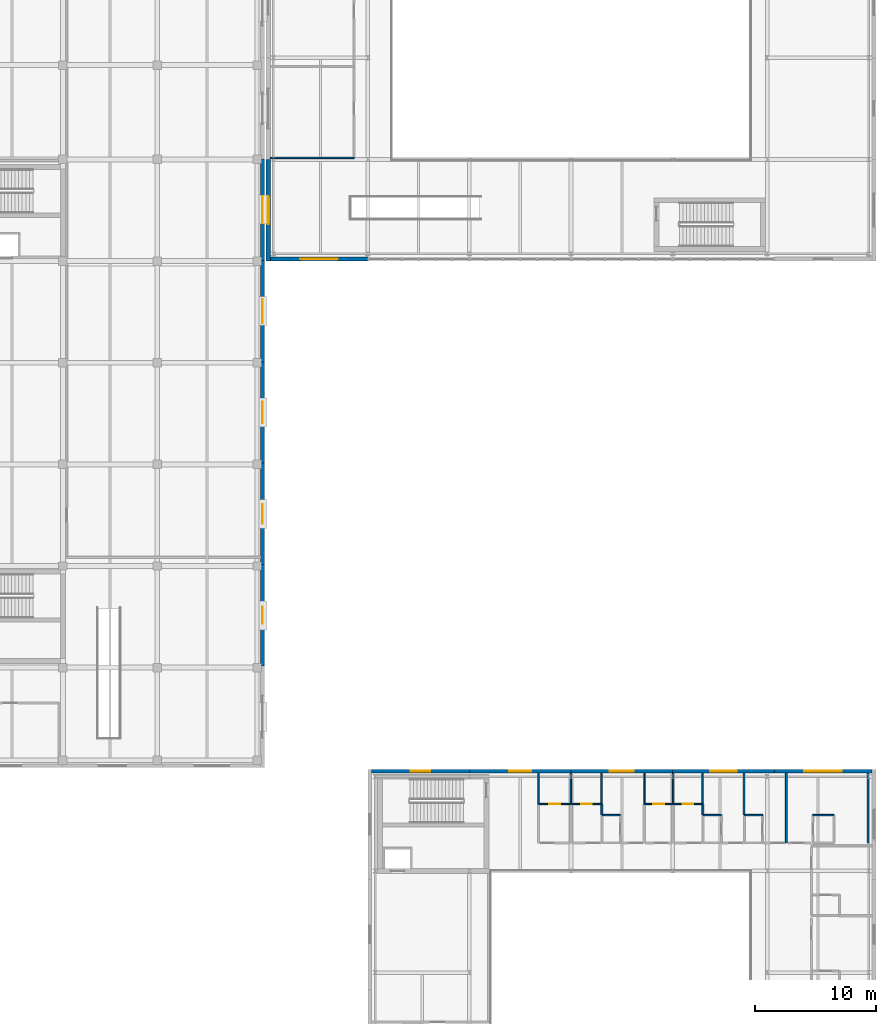
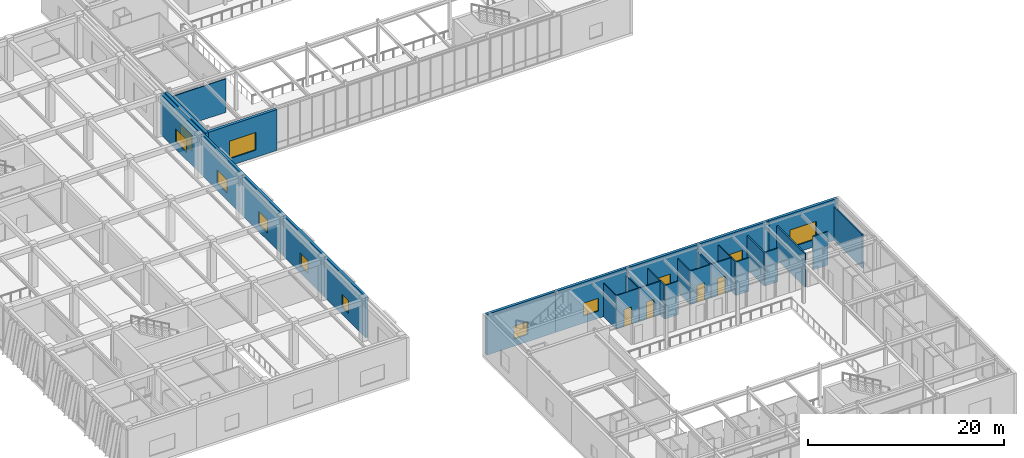
# One storey, part 118 of 139: 32 walls, 12 windows, 4 doors, 16 openings.
"""IFC4 building model written with IfcOpenShell, lengths in metres."""

from ifc_helpers import new_model, si_unit, direction, frame, frame_2d, origin, place, context, subcontext, project, spatial, rectangle, extrude, material, layer, layer_set, type_object, element, fill, save


model = new_model("IFC4")

# Units and contexts
model_context = context("Model", 3, precision=1e-05, world=origin(), true_north=direction((0.0, 1.0)))
body_context = subcontext(model_context, "Body", "Model", "MODEL_VIEW")
ifc_project = project(units=[si_unit("LENGTHUNIT", "METRE"), si_unit("AREAUNIT", "SQUARE_METRE"), si_unit("VOLUMEUNIT", "CUBIC_METRE"), si_unit("PLANEANGLEUNIT", "RADIAN"), si_unit("MASSUNIT", "GRAM", prefix="KILO")], contexts=[model_context])

# Site, building, storey
site_placement = place(None, origin())
site = spatial("IfcSite", under=ifc_project, at=site_placement, CompositionType="ELEMENT")
building_placement = place(site_placement, origin())
building = spatial("IfcBuilding", under=site, at=building_placement, Name="Zayran Congress Hotel", CompositionType="ELEMENT")
storey_placement = place(building_placement, frame((0.0, 0.0, 5.39990234375)))
storey = spatial("IfcBuildingStorey", under=building, at=storey_placement, Name="L01", CompositionType="ELEMENT", Elevation=5.39990234375)

# Wall, opening, window
ifc_material_1 = material(Name="Hajar Ma'ani limestone and insulated concrete C32/40", Category="masonry")
ifc_layer_1 = layer(ifc_material_1, 0.340087890625)
ifc_layer_set_1 = layer_set([ifc_layer_1], Name="Hajar Ma'ani limestone and insulated concrete C32/40")
wall_type_1 = type_object("IfcWallType", Name="WL-EX-340", PredefinedType="SOLIDWALL", material=ifc_layer_set_1)
wall_1_placement = place(storey_placement, frame((151.199951171875, 84.570068359375, 0.0), z_axis=(0.0, 0.0, 1.0), x_axis=(-1.0, 0.0, 0.0)))
wall_1 = element("IfcWall", 1, at=wall_1_placement, inside=storey, type_object=wall_type_1, Name="EW-V2-S-L01-0", PredefinedType="SOLIDWALL", context=body_context, shape_type="SweptSolid", body=[
    extrude(rectangle(XDim=8.06005859375, YDim=0.340087890625, at=frame_2d((4.030029296875, 0.0))), origin(), (0.0, 0.0, 1.0), 5.080078125),
])
opening_1_placement = place(wall_1_placement, frame((2.47998046875, 0.0, 0.89990234375)))
opening_1 = element("IfcOpeningElement", 2, at=opening_1_placement, cuts=wall_1, Name="Opening WN-20", PredefinedType="OPENING", context=body_context, shape_type="SweptSolid", body=[
    extrude(rectangle(XDim=3.10009765625, YDim=2.199951171875, at=frame_2d((1.550048828125, 1.10009765625))), frame((0.0, 0.179931640625, 0.0), z_axis=(0.0, -1.0, 0.0), x_axis=(1.0, 0.0, 0.0)), (0.0, 0.0, 1.0), 0.360107421875),
])
ifc_material_2 = material(Name="Anodised aluminium and low-E insulated glass", Category="aluminium")
window_type_1 = type_object("IfcWindowType", Name="TP-WN-20", PartitioningType="TRIPLE_PANEL_VERTICAL", PredefinedType="WINDOW", material=ifc_material_2)
window_1_placement = place(opening_1_placement, origin())
window_1 = element("IfcWindow", 3, at=window_1_placement, inside=storey, type_object=window_type_1, Name="WIN-V2-0026", OverallHeight=2.199951171875, OverallWidth=3.10009765625, PartitioningType="SINGLE_PANEL", PredefinedType="WINDOW", context=body_context, shape_type="SweptSolid", body=[
    extrude(rectangle(XDim=3.10009765625, YDim=2.199951171875, at=frame_2d((1.550048828125, 1.10009765625))), frame((0.0, 0.030029296875, 0.0), z_axis=(0.0, -1.0, 0.0), x_axis=(1.0, 0.0, 0.0)), (0.0, 0.0, 1.0), 0.06005859375),
])
fill(opening_1, window_1)

wall_2_placement = place(storey_placement, frame((142.969970703125, 84.39990234375, 0.0), z_axis=(0.0, 0.0, 1.0), x_axis=(0.0, 1.0, 0.0)))
wall_2 = element("IfcWall", 4, at=wall_2_placement, inside=storey, type_object=wall_type_1, Name="EW-V2-W-L01-0", PredefinedType="SOLIDWALL", context=body_context, shape_type="SweptSolid", body=[
    extrude(rectangle(XDim=8.400146484375, YDim=0.340087890625, at=frame_2d((4.2001953125, 0.0))), origin(), (0.0, 0.0, 1.0), 5.080078125),
])
opening_2_placement = place(wall_2_placement, frame((3.050048828125, 0.0, 0.89990234375)))
opening_2 = element("IfcOpeningElement", 5, at=opening_2_placement, cuts=wall_2, Name="Opening WN-28", PredefinedType="OPENING", context=body_context, shape_type="SweptSolid", body=[
    extrude(rectangle(XDim=2.300048828125, YDim=2.050048828125, at=frame_2d((1.14990234375, 1.02490234375))), frame((0.0, 0.179931640625, 0.0), z_axis=(0.0, -1.0, 0.0), x_axis=(1.0, 0.0, 0.0)), (0.0, 0.0, 1.0), 0.360107421875),
])
window_type_2 = type_object("IfcWindowType", Name="TP-WN-28", PartitioningType="DOUBLE_PANEL_VERTICAL", PredefinedType="WINDOW", material=ifc_material_2)
window_2_placement = place(opening_2_placement, origin())
window_2 = element("IfcWindow", 6, at=window_2_placement, inside=storey, type_object=window_type_2, Name="WIN-V2-0034", OverallHeight=2.050048828125, OverallWidth=2.300048828125, PartitioningType="SINGLE_PANEL", PredefinedType="WINDOW", context=body_context, shape_type="SweptSolid", body=[
    extrude(rectangle(XDim=2.300048828125, YDim=2.050048828125, at=frame_2d((1.14990234375, 1.02490234375))), frame((0.0, 0.030029296875, 0.0), z_axis=(0.0, -1.0, 0.0), x_axis=(1.0, 0.0, 0.0)), (0.0, 0.0, 1.0), 0.06005859375),
])
fill(opening_2, window_2)

ifc_material_3 = material(Name="Ajlun white limestone and insulated concrete C32/40", Category="masonry")
ifc_layer_2 = layer(ifc_material_3, 0.320068359375)
ifc_layer_set_2 = layer_set([ifc_layer_2], Name="Ajlun white limestone and insulated concrete C32/40")
wall_type_2 = type_object("IfcWallType", Name="WL-EX-320", PredefinedType="SOLIDWALL", material=ifc_layer_set_2)
wall_3_placement = place(storey_placement, frame((151.52001953125, 42.239990234375, 0.0), z_axis=(0.0, 0.0, 1.0), x_axis=(1.0, 0.0, 0.0)))
wall_3 = element("IfcWall", 7, at=wall_3_placement, inside=storey, type_object=wall_type_2, Name="EW-V3-N-L01-0", PredefinedType="SOLIDWALL", context=body_context, shape_type="SweptSolid", body=[
    extrude(rectangle(XDim=8.080078125, YDim=0.320068359375, at=frame_2d((4.0400390625, 0.0))), origin(), (0.0, 0.0, 1.0), 5.10009765625),
])
opening_3_placement = place(wall_3_placement, frame((3.239990234375, 0.0, 0.89990234375)))
opening_3 = element("IfcOpeningElement", 8, at=opening_3_placement, cuts=wall_3, Name="Opening WN-15", PredefinedType="OPENING", context=body_context, shape_type="SweptSolid", body=[
    extrude(rectangle(XDim=1.60009765625, YDim=1.60009765625, at=frame_2d((0.800048828125, 0.800048828125))), frame((0.0, 0.169921875, 0.0), z_axis=(0.0, -1.0, 0.0), x_axis=(1.0, 0.0, 0.0)), (0.0, 0.0, 1.0), 0.340087890625),
])
window_type_3 = type_object("IfcWindowType", Name="TP-WN-15", PartitioningType="SINGLE_PANEL", PredefinedType="WINDOW", material=ifc_material_2)
window_3_placement = place(opening_3_placement, origin())
window_3 = element("IfcWindow", 9, at=window_3_placement, inside=storey, type_object=window_type_3, Name="WIN-V3-0072", OverallHeight=1.60009765625, OverallWidth=1.60009765625, PartitioningType="SINGLE_PANEL", PredefinedType="WINDOW", context=body_context, shape_type="SweptSolid", body=[
    extrude(rectangle(XDim=1.60009765625, YDim=1.60009765625, at=frame_2d((0.800048828125, 0.800048828125))), frame((0.0, 0.030029296875, 0.0), z_axis=(0.0, -1.0, 0.0), x_axis=(1.0, 0.0, 0.0)), (0.0, 0.0, 1.0), 0.06005859375),
])
fill(opening_3, window_3)

wall_4_placement = place(storey_placement, frame((159.60009765625, 42.239990234375, 0.0), z_axis=(0.0, 0.0, 1.0), x_axis=(1.0, 0.0, 0.0)))
wall_4 = element("IfcWall", 10, at=wall_4_placement, inside=storey, type_object=wall_type_2, Name="EW-V3-N-L01-1", PredefinedType="SOLIDWALL", context=body_context, shape_type="SweptSolid", body=[
    extrude(rectangle(XDim=8.39990234375, YDim=0.320068359375, at=frame_2d((4.199951171875, 0.0))), origin(), (0.0, 0.0, 1.0), 5.10009765625),
])
opening_4_placement = place(wall_4_placement, frame((3.300048828125, 0.0, 0.89990234375)))
opening_4 = element("IfcOpeningElement", 11, at=opening_4_placement, cuts=wall_4, Name="Opening WN-16", PredefinedType="OPENING", context=body_context, shape_type="SweptSolid", body=[
    extrude(rectangle(XDim=1.800048828125, YDim=1.60009765625, at=frame_2d((0.89990234375, 0.800048828125))), frame((0.0, 0.169921875, 0.0), z_axis=(0.0, -1.0, 0.0), x_axis=(1.0, 0.0, 0.0)), (0.0, 0.0, 1.0), 0.340087890625),
])
window_type_4 = type_object("IfcWindowType", Name="TP-WN-16", PartitioningType="DOUBLE_PANEL_VERTICAL", PredefinedType="WINDOW", material=ifc_material_2)
window_4_placement = place(opening_4_placement, origin())
window_4 = element("IfcWindow", 12, at=window_4_placement, inside=storey, type_object=window_type_4, Name="WIN-V3-0073", OverallHeight=1.60009765625, OverallWidth=1.800048828125, PartitioningType="SINGLE_PANEL", PredefinedType="WINDOW", context=body_context, shape_type="SweptSolid", body=[
    extrude(rectangle(XDim=1.800048828125, YDim=1.60009765625, at=frame_2d((0.89990234375, 0.800048828125))), frame((0.0, 0.030029296875, 0.0), z_axis=(0.0, -1.0, 0.0), x_axis=(1.0, 0.0, 0.0)), (0.0, 0.0, 1.0), 0.06005859375),
])
fill(opening_4, window_4)

wall_5_placement = place(storey_placement, frame((168.0, 42.239990234375, 0.0), z_axis=(0.0, 0.0, 1.0), x_axis=(1.0, 0.0, 0.0)))
wall_5 = element("IfcWall", 13, at=wall_5_placement, inside=storey, type_object=wall_type_2, Name="EW-V3-N-L01-2", PredefinedType="SOLIDWALL", context=body_context, shape_type="SweptSolid", body=[
    extrude(rectangle(XDim=8.39990234375, YDim=0.320068359375, at=frame_2d((4.199951171875, 0.0))), origin(), (0.0, 0.0, 1.0), 5.10009765625),
])
opening_5_placement = place(wall_5_placement, frame((3.199951171875, 0.0, 0.89990234375)))
opening_5 = element("IfcOpeningElement", 14, at=opening_5_placement, cuts=wall_5, Name="Opening WN-17", PredefinedType="OPENING", context=body_context, shape_type="SweptSolid", body=[
    extrude(rectangle(XDim=2.0, YDim=1.64990234375, at=frame_2d((1.0, 0.824951171875))), frame((0.0, 0.169921875, 0.0), z_axis=(0.0, -1.0, 0.0), x_axis=(1.0, 0.0, 0.0)), (0.0, 0.0, 1.0), 0.340087890625),
])
window_type_5 = type_object("IfcWindowType", Name="TP-WN-17", PartitioningType="DOUBLE_PANEL_VERTICAL", PredefinedType="WINDOW", material=ifc_material_2)
window_5_placement = place(opening_5_placement, origin())
window_5 = element("IfcWindow", 15, at=window_5_placement, inside=storey, type_object=window_type_5, Name="WIN-V3-0074", OverallHeight=1.64990234375, OverallWidth=2.0, PartitioningType="SINGLE_PANEL", PredefinedType="WINDOW", context=body_context, shape_type="SweptSolid", body=[
    extrude(rectangle(XDim=2.0, YDim=1.64990234375, at=frame_2d((1.0, 0.824951171875))), frame((0.0, 0.030029296875, 0.0), z_axis=(0.0, -1.0, 0.0), x_axis=(1.0, 0.0, 0.0)), (0.0, 0.0, 1.0), 0.06005859375),
])
fill(opening_5, window_5)

wall_6_placement = place(storey_placement, frame((176.39990234375, 42.239990234375, 0.0), z_axis=(0.0, 0.0, 1.0), x_axis=(1.0, 0.0, 0.0)))
wall_6 = element("IfcWall", 16, at=wall_6_placement, inside=storey, type_object=wall_type_2, Name="EW-V3-N-L01-3", PredefinedType="SOLIDWALL", context=body_context, shape_type="SweptSolid", body=[
    extrude(rectangle(XDim=8.400146484375, YDim=0.320068359375, at=frame_2d((4.2001953125, 0.0))), origin(), (0.0, 0.0, 1.0), 5.10009765625),
])
opening_6_placement = place(wall_6_placement, frame((3.10009765625, 0.0, 0.89990234375)))
opening_6 = element("IfcOpeningElement", 17, at=opening_6_placement, cuts=wall_6, Name="Opening WN-18", PredefinedType="OPENING", context=body_context, shape_type="SweptSolid", body=[
    extrude(rectangle(XDim=2.199951171875, YDim=1.64990234375, at=frame_2d((1.10009765625, 0.824951171875))), frame((0.0, 0.169921875, 0.0), z_axis=(0.0, -1.0, 0.0), x_axis=(1.0, 0.0, 0.0)), (0.0, 0.0, 1.0), 0.340087890625),
])
window_type_6 = type_object("IfcWindowType", Name="TP-WN-18", PartitioningType="DOUBLE_PANEL_VERTICAL", PredefinedType="WINDOW", material=ifc_material_2)
window_6_placement = place(opening_6_placement, origin())
window_6 = element("IfcWindow", 18, at=window_6_placement, inside=storey, type_object=window_type_6, Name="WIN-V3-0075", OverallHeight=1.64990234375, OverallWidth=2.199951171875, PartitioningType="SINGLE_PANEL", PredefinedType="WINDOW", context=body_context, shape_type="SweptSolid", body=[
    extrude(rectangle(XDim=2.199951171875, YDim=1.64990234375, at=frame_2d((1.10009765625, 0.824951171875))), frame((0.0, 0.030029296875, 0.0), z_axis=(0.0, -1.0, 0.0), x_axis=(1.0, 0.0, 0.0)), (0.0, 0.0, 1.0), 0.06005859375),
])
fill(opening_6, window_6)

wall_7_placement = place(storey_placement, frame((184.800048828125, 42.239990234375, 0.0), z_axis=(0.0, 0.0, 1.0), x_axis=(1.0, 0.0, 0.0)))
wall_7 = element("IfcWall", 19, at=wall_7_placement, inside=storey, type_object=wall_type_2, Name="EW-V3-N-L01-4", PredefinedType="SOLIDWALL", context=body_context, shape_type="SweptSolid", body=[
    extrude(rectangle(XDim=8.079833984375, YDim=0.320068359375, at=frame_2d((4.0400390625, 0.0))), origin(), (0.0, 0.0, 1.0), 5.10009765625),
])
opening_7_placement = place(wall_7_placement, frame((2.489990234375, 0.0, 0.89990234375)))
opening_7 = element("IfcOpeningElement", 20, at=opening_7_placement, cuts=wall_7, Name="Opening WN-20", PredefinedType="OPENING", context=body_context, shape_type="SweptSolid", body=[
    extrude(rectangle(XDim=3.10009765625, YDim=2.199951171875, at=frame_2d((1.550048828125, 1.10009765625))), frame((0.0, 0.169921875, 0.0), z_axis=(0.0, -1.0, 0.0), x_axis=(1.0, 0.0, 0.0)), (0.0, 0.0, 1.0), 0.340087890625),
])
window_7_placement = place(opening_7_placement, origin())
window_7 = element("IfcWindow", 21, at=window_7_placement, inside=storey, type_object=window_type_1, Name="WIN-V3-0077", OverallHeight=2.199951171875, OverallWidth=3.10009765625, PartitioningType="SINGLE_PANEL", PredefinedType="WINDOW", context=body_context, shape_type="SweptSolid", body=[
    extrude(rectangle(XDim=3.10009765625, YDim=2.199951171875, at=frame_2d((1.550048828125, 1.10009765625))), frame((0.0, 0.030029296875, 0.0), z_axis=(0.0, -1.0, 0.0), x_axis=(1.0, 0.0, 0.0)), (0.0, 0.0, 1.0), 0.06005859375),
])
fill(opening_7, window_7)

ifc_layer_3 = layer(ifc_material_3, 0.300048828125)
ifc_layer_set_3 = layer_set([ifc_layer_3], Name="Ajlun white limestone and insulated concrete C32/40")
wall_type_3 = type_object("IfcWallType", Name="WL-EX-300", PredefinedType="SOLIDWALL", material=ifc_layer_set_3)
wall_8_placement = place(storey_placement, frame((142.5, 59.31201171875, 0.0), z_axis=(0.0, 0.0, 1.0), x_axis=(0.0, -1.0, 0.0)))
wall_8 = element("IfcWall", 22, at=wall_8_placement, inside=storey, type_object=wall_type_3, Name="EW-V4-E-L01-1", PredefinedType="SOLIDWALL", context=body_context, shape_type="SweptSolid", body=[
    extrude(rectangle(XDim=8.381103515625, YDim=0.300048828125, at=frame_2d((4.1904296875, 0.0))), origin(), (0.0, 0.0, 1.0), 5.10009765625),
])
opening_8_placement = place(wall_8_placement, frame((3.489990234375, 0.0, 0.89990234375)))
opening_8 = element("IfcOpeningElement", 23, at=opening_8_placement, cuts=wall_8, Name="Opening WN-14", PredefinedType="OPENING", context=body_context, shape_type="SweptSolid", body=[
    extrude(rectangle(XDim=1.39990234375, YDim=1.60009765625, at=frame_2d((0.699951171875, 0.800048828125))), frame((0.0, 0.159912109375, 0.0), z_axis=(0.0, -1.0, 0.0), x_axis=(1.0, 0.0, 0.0)), (0.0, 0.0, 1.0), 0.320068359375),
])
window_type_7 = type_object("IfcWindowType", Name="TP-WN-14", PartitioningType="SINGLE_PANEL", PredefinedType="WINDOW", material=ifc_material_2)
window_8_placement = place(opening_8_placement, origin())
window_8 = element("IfcWindow", 24, at=window_8_placement, inside=storey, type_object=window_type_7, Name="WIN-V4-0126", OverallHeight=1.60009765625, OverallWidth=1.39990234375, PartitioningType="SINGLE_PANEL", PredefinedType="WINDOW", context=body_context, shape_type="SweptSolid", body=[
    extrude(rectangle(XDim=1.39990234375, YDim=1.60009765625, at=frame_2d((0.699951171875, 0.800048828125))), frame((0.0, 0.030029296875, 0.0), z_axis=(0.0, -1.0, 0.0), x_axis=(1.0, 0.0, 0.0)), (0.0, 0.0, 1.0), 0.06005859375),
])
fill(opening_8, window_8)

wall_9_placement = place(storey_placement, frame((142.5, 67.694091796875, 0.0), z_axis=(0.0, 0.0, 1.0), x_axis=(0.0, -1.0, 0.0)))
wall_9 = element("IfcWall", 25, at=wall_9_placement, inside=storey, type_object=wall_type_3, Name="EW-V4-E-L01-2", PredefinedType="SOLIDWALL", context=body_context, shape_type="SweptSolid", body=[
    extrude(rectangle(XDim=8.382080078125, YDim=0.300048828125, at=frame_2d((4.19091796875, 0.0))), origin(), (0.0, 0.0, 1.0), 5.10009765625),
])
opening_9_placement = place(wall_9_placement, frame((3.39111328125, 0.0, 0.89990234375)))
opening_9 = element("IfcOpeningElement", 26, at=opening_9_placement, cuts=wall_9, Name="Opening WN-15", PredefinedType="OPENING", context=body_context, shape_type="SweptSolid", body=[
    extrude(rectangle(XDim=1.60009765625, YDim=1.60009765625, at=frame_2d((0.800048828125, 0.800048828125))), frame((0.0, 0.159912109375, 0.0), z_axis=(0.0, -1.0, 0.0), x_axis=(1.0, 0.0, 0.0)), (0.0, 0.0, 1.0), 0.320068359375),
])
window_9_placement = place(opening_9_placement, origin())
window_9 = element("IfcWindow", 27, at=window_9_placement, inside=storey, type_object=window_type_3, Name="WIN-V4-0127", OverallHeight=1.60009765625, OverallWidth=1.60009765625, PartitioningType="SINGLE_PANEL", PredefinedType="WINDOW", context=body_context, shape_type="SweptSolid", body=[
    extrude(rectangle(XDim=1.60009765625, YDim=1.60009765625, at=frame_2d((0.800048828125, 0.800048828125))), frame((0.0, 0.030029296875, 0.0), z_axis=(0.0, -1.0, 0.0), x_axis=(1.0, 0.0, 0.0)), (0.0, 0.0, 1.0), 0.06005859375),
])
fill(opening_9, window_9)

wall_10_placement = place(storey_placement, frame((142.5, 76.074951171875, 0.0), z_axis=(0.0, 0.0, 1.0), x_axis=(0.0, -1.0, 0.0)))
wall_10 = element("IfcWall", 28, at=wall_10_placement, inside=storey, type_object=wall_type_3, Name="EW-V4-E-L01-3", PredefinedType="SOLIDWALL", context=body_context, shape_type="SweptSolid", body=[
    extrude(rectangle(XDim=8.380859375, YDim=0.300048828125, at=frame_2d((4.1904296875, 0.0))), origin(), (0.0, 0.0, 1.0), 5.10009765625),
])
opening_10_placement = place(wall_10_placement, frame((3.291015625, 0.0, 0.89990234375)))
opening_10 = element("IfcOpeningElement", 29, at=opening_10_placement, cuts=wall_10, Name="Opening WN-16", PredefinedType="OPENING", context=body_context, shape_type="SweptSolid", body=[
    extrude(rectangle(XDim=1.800048828125, YDim=1.60009765625, at=frame_2d((0.89990234375, 0.800048828125))), frame((0.0, 0.159912109375, 0.0), z_axis=(0.0, -1.0, 0.0), x_axis=(1.0, 0.0, 0.0)), (0.0, 0.0, 1.0), 0.320068359375),
])
window_10_placement = place(opening_10_placement, origin())
window_10 = element("IfcWindow", 30, at=window_10_placement, inside=storey, type_object=window_type_4, Name="WIN-V4-0128", OverallHeight=1.60009765625, OverallWidth=1.800048828125, PartitioningType="SINGLE_PANEL", PredefinedType="WINDOW", context=body_context, shape_type="SweptSolid", body=[
    extrude(rectangle(XDim=1.800048828125, YDim=1.60009765625, at=frame_2d((0.89990234375, 0.800048828125))), frame((0.0, 0.030029296875, 0.0), z_axis=(0.0, -1.0, 0.0), x_axis=(1.0, 0.0, 0.0)), (0.0, 0.0, 1.0), 0.06005859375),
])
fill(opening_10, window_10)

wall_11_placement = place(storey_placement, frame((142.5, 84.4560546875, 0.0), z_axis=(0.0, 0.0, 1.0), x_axis=(0.0, -1.0, 0.0)))
wall_11 = element("IfcWall", 31, at=wall_11_placement, inside=storey, type_object=wall_type_3, Name="EW-V4-E-L01-4", PredefinedType="SOLIDWALL", context=body_context, shape_type="SweptSolid", body=[
    extrude(rectangle(XDim=8.381103515625, YDim=0.300048828125, at=frame_2d((4.1904296875, 0.0))), origin(), (0.0, 0.0, 1.0), 5.10009765625),
])
opening_11_placement = place(wall_11_placement, frame((3.19091796875, 0.0, 0.89990234375)))
opening_11 = element("IfcOpeningElement", 32, at=opening_11_placement, cuts=wall_11, Name="Opening WN-17", PredefinedType="OPENING", context=body_context, shape_type="SweptSolid", body=[
    extrude(rectangle(XDim=2.0, YDim=1.64990234375, at=frame_2d((1.0, 0.824951171875))), frame((0.0, 0.159912109375, 0.0), z_axis=(0.0, -1.0, 0.0), x_axis=(1.0, 0.0, 0.0)), (0.0, 0.0, 1.0), 0.320068359375),
])
window_11_placement = place(opening_11_placement, origin())
window_11 = element("IfcWindow", 33, at=window_11_placement, inside=storey, type_object=window_type_5, Name="WIN-V4-0129", OverallHeight=1.64990234375, OverallWidth=2.0, PartitioningType="SINGLE_PANEL", PredefinedType="WINDOW", context=body_context, shape_type="SweptSolid", body=[
    extrude(rectangle(XDim=2.0, YDim=1.64990234375, at=frame_2d((1.0, 0.824951171875))), frame((0.0, 0.030029296875, 0.0), z_axis=(0.0, -1.0, 0.0), x_axis=(1.0, 0.0, 0.0)), (0.0, 0.0, 1.0), 0.06005859375),
])
fill(opening_11, window_11)

wall_12_placement = place(storey_placement, frame((142.5, 92.8369140625, 0.0), z_axis=(0.0, 0.0, 1.0), x_axis=(0.0, -1.0, 0.0)))
wall_12 = element("IfcWall", 34, at=wall_12_placement, inside=storey, type_object=wall_type_3, Name="EW-V4-E-L01-5", PredefinedType="SOLIDWALL", context=body_context, shape_type="SweptSolid", body=[
    extrude(rectangle(XDim=8.380859375, YDim=0.300048828125, at=frame_2d((4.1904296875, 0.0))), origin(), (0.0, 0.0, 1.0), 5.10009765625),
])
opening_12_placement = place(wall_12_placement, frame((3.091064453125, 0.0, 0.89990234375)))
opening_12 = element("IfcOpeningElement", 35, at=opening_12_placement, cuts=wall_12, Name="Opening WN-18", PredefinedType="OPENING", context=body_context, shape_type="SweptSolid", body=[
    extrude(rectangle(XDim=2.199951171875, YDim=1.64990234375, at=frame_2d((1.10009765625, 0.824951171875))), frame((0.0, 0.159912109375, 0.0), z_axis=(0.0, -1.0, 0.0), x_axis=(1.0, 0.0, 0.0)), (0.0, 0.0, 1.0), 0.320068359375),
])
window_12_placement = place(opening_12_placement, origin())
window_12 = element("IfcWindow", 36, at=window_12_placement, inside=storey, type_object=window_type_6, Name="WIN-V4-0130", OverallHeight=1.64990234375, OverallWidth=2.199951171875, PartitioningType="SINGLE_PANEL", PredefinedType="WINDOW", context=body_context, shape_type="SweptSolid", body=[
    extrude(rectangle(XDim=2.199951171875, YDim=1.64990234375, at=frame_2d((1.10009765625, 0.824951171875))), frame((0.0, 0.030029296875, 0.0), z_axis=(0.0, -1.0, 0.0), x_axis=(1.0, 0.0, 0.0)), (0.0, 0.0, 1.0), 0.06005859375),
])
fill(opening_12, window_12)

# Walls
ifc_material_4 = material(Name="Acoustic twin-stud gypsum partition", Category="gypsum")
ifc_layer_4 = layer(ifc_material_4, 0.159912109375)
ifc_layer_set_4 = layer_set([ifc_layer_4], Name="Acoustic twin-stud gypsum partition")
wall_type_4 = type_object("IfcWallType", Name="WL-PT-160", PredefinedType="PARTITIONING", material=ifc_layer_set_4)
for number, where, z_axis, x_axis, name in (
    (37, (170.5400390625, 38.6298828125, 0.0), (0.0, 0.0, 1.0), (0.0, 1.0, 0.0), "IW-L01-1715"),
    (38, (178.889892578125, 38.6298828125, 0.0), (0.0, 0.0, 1.0), (0.0, 1.0, 0.0), "IW-L01-1718"),
):
    element("IfcWall", number, at=place(storey_placement, frame(where, z_axis=z_axis, x_axis=x_axis)), inside=storey, type_object=wall_type_4, Name=name, PredefinedType="PARTITIONING", context=body_context, shape_type="SweptSolid", body=[
        extrude(rectangle(XDim=0.89013671875, YDim=0.159912109375, at=frame_2d((0.445068359375, 0.0))), origin(), (0.0, 0.0, 1.0), 4.18017578125),
    ])
wall_13_placement = place(storey_placement, frame((182.2900390625, 38.6298828125, 0.0), z_axis=(0.0, 0.0, 1.0), x_axis=(0.0, 1.0, 0.0)))
element("IfcWall", 39, at=wall_13_placement, inside=storey, type_object=wall_type_4, Name="IW-L01-1719", PredefinedType="PARTITIONING", context=body_context, shape_type="SweptSolid", body=[
    extrude(rectangle(XDim=3.4501953125, YDim=0.159912109375, at=frame_2d((1.72509765625, 0.0))), origin(), (0.0, 0.0, 1.0), 4.18017578125),
])
for number, where, z_axis, x_axis, name in (
    (40, (185.7900390625, 36.320068359375, 0.0), (0.0, 0.0, 1.0), (0.0, 1.0, 0.0), "IW-L01-1720"),
    (41, (192.5400390625, 36.320068359375, 0.0), (0.0, 0.0, 1.0), (0.0, 1.0, 0.0), "IW-L01-1721"),
):
    element("IfcWall", number, at=place(storey_placement, frame(where, z_axis=z_axis, x_axis=x_axis)), inside=storey, type_object=wall_type_4, Name=name, PredefinedType="PARTITIONING", context=body_context, shape_type="SweptSolid", body=[
        extrude(rectangle(XDim=5.760009765625, YDim=0.159912109375, at=frame_2d((2.8798828125, 0.0))), origin(), (0.0, 0.0, 1.0), 4.18017578125),
    ])

# Wall, opening, door
ifc_material_5 = material(Name="Moisture-resistant bathroom partition", Category="gypsum")
ifc_layer_5 = layer(ifc_material_5, 0.1201171875)
ifc_layer_set_5 = layer_set([ifc_layer_5], Name="Moisture-resistant bathroom partition")
wall_type_5 = type_object("IfcWallType", Name="WL-PT-120", PredefinedType="PARTITIONING", material=ifc_layer_set_5)
wall_14_placement = place(storey_placement, frame((165.31005859375, 39.530029296875, 0.0), z_axis=(0.0, 0.0, 1.0), x_axis=(1.0, 0.0, 0.0)))
wall_14 = element("IfcWall", 42, at=wall_14_placement, inside=storey, type_object=wall_type_5, Name="IW-L01-0009", PredefinedType="PARTITIONING", context=body_context, shape_type="SweptSolid", body=[
    extrude(rectangle(XDim=2.679931640625, YDim=0.1201171875, at=frame_2d((1.33984375, 0.0))), origin(), (0.0, 0.0, 1.0), 4.18017578125),
])
opening_13_placement = place(wall_14_placement, frame((0.89990234375, 0.0, 0.0)))
opening_13 = element("IfcOpeningElement", 43, at=opening_13_placement, cuts=wall_14, Name="Opening DR-BT-01", PredefinedType="OPENING", context=body_context, shape_type="SweptSolid", body=[
    extrude(rectangle(XDim=0.8798828125, YDim=2.14990234375, at=frame_2d((0.43994140625, 1.074951171875))), frame((0.0, 0.070068359375, 0.0), z_axis=(0.0, -1.0, 0.0), x_axis=(1.0, 0.0, 0.0)), (0.0, 0.0, 1.0), 0.14013671875),
])
ifc_material_6 = material(Name="Moisture-resistant oak en-suite door", Category="wood")
door_type = type_object("IfcDoorType", Name="TP-DR-BT-01", OperationType="NOTDEFINED", PredefinedType="DOOR", material=ifc_material_6)
door_1_placement = place(opening_13_placement, origin())
door_1 = element("IfcDoor", 44, at=door_1_placement, inside=storey, type_object=door_type, Name="En-Suite Bathroom Spa 09 Door", OperationType="SINGLE_SWING_RIGHT", OverallHeight=2.14990234375, OverallWidth=0.8798828125, PredefinedType="DOOR", context=body_context, shape_type="SweptSolid", body=[
    extrude(rectangle(XDim=0.8798828125, YDim=2.14990234375, at=frame_2d((0.43994140625, 1.074951171875))), frame((0.0, 0.02490234375, 0.0), z_axis=(0.0, -1.0, 0.0), x_axis=(1.0, 0.0, 0.0)), (0.0, 0.0, 1.0), 0.050048828125),
])
fill(opening_13, door_1)

wall_15_placement = place(storey_placement, frame((168.010009765625, 39.530029296875, 0.0), z_axis=(0.0, 0.0, 1.0), x_axis=(1.0, 0.0, 0.0)))
wall_15 = element("IfcWall", 45, at=wall_15_placement, inside=storey, type_object=wall_type_5, Name="IW-L01-0010", PredefinedType="PARTITIONING", context=body_context, shape_type="SweptSolid", body=[
    extrude(rectangle(XDim=2.530029296875, YDim=0.1201171875, at=frame_2d((1.26513671875, 0.0))), origin(), (0.0, 0.0, 1.0), 4.18017578125),
])
opening_14_placement = place(wall_15_placement, frame((0.824951171875, 0.0, 0.0)))
opening_14 = element("IfcOpeningElement", 46, at=opening_14_placement, cuts=wall_15, Name="Opening DR-BT-01", PredefinedType="OPENING", context=body_context, shape_type="SweptSolid", body=[
    extrude(rectangle(XDim=0.8798828125, YDim=2.14990234375, at=frame_2d((0.43994140625, 1.074951171875))), frame((0.0, 0.070068359375, 0.0), z_axis=(0.0, -1.0, 0.0), x_axis=(1.0, 0.0, 0.0)), (0.0, 0.0, 1.0), 0.14013671875),
])
door_2_placement = place(opening_14_placement, origin())
door_2 = element("IfcDoor", 47, at=door_2_placement, inside=storey, type_object=door_type, Name="En-Suite Bathroom Spa 10 Door", OperationType="SINGLE_SWING_LEFT", OverallHeight=2.14990234375, OverallWidth=0.8798828125, PredefinedType="DOOR", context=body_context, shape_type="SweptSolid", body=[
    extrude(rectangle(XDim=0.8798828125, YDim=2.14990234375, at=frame_2d((0.43994140625, 1.074951171875))), frame((0.0, 0.02490234375, 0.0), z_axis=(0.0, -1.0, 0.0), x_axis=(1.0, 0.0, 0.0)), (0.0, 0.0, 1.0), 0.050048828125),
])
fill(opening_14, door_2)

wall_16_placement = place(storey_placement, frame((174.06005859375, 39.530029296875, 0.0), z_axis=(0.0, 0.0, 1.0), x_axis=(1.0, 0.0, 0.0)))
wall_16 = element("IfcWall", 48, at=wall_16_placement, inside=storey, type_object=wall_type_5, Name="IW-L01-0012", PredefinedType="PARTITIONING", context=body_context, shape_type="SweptSolid", body=[
    extrude(rectangle(XDim=2.3798828125, YDim=0.1201171875, at=frame_2d((1.18994140625, 0.0))), origin(), (0.0, 0.0, 1.0), 4.18017578125),
])
opening_15_placement = place(wall_16_placement, frame((0.75, 0.0, 0.0)))
opening_15 = element("IfcOpeningElement", 49, at=opening_15_placement, cuts=wall_16, Name="Opening DR-BT-01", PredefinedType="OPENING", context=body_context, shape_type="SweptSolid", body=[
    extrude(rectangle(XDim=0.8798828125, YDim=2.14990234375, at=frame_2d((0.43994140625, 1.074951171875))), frame((0.0, 0.070068359375, 0.0), z_axis=(0.0, -1.0, 0.0), x_axis=(1.0, 0.0, 0.0)), (0.0, 0.0, 1.0), 0.14013671875),
])
door_3_placement = place(opening_15_placement, origin())
door_3 = element("IfcDoor", 50, at=door_3_placement, inside=storey, type_object=door_type, Name="En-Suite Bathroom Spa 12 Door", OperationType="SINGLE_SWING_LEFT", OverallHeight=2.14990234375, OverallWidth=0.8798828125, PredefinedType="DOOR", context=body_context, shape_type="SweptSolid", body=[
    extrude(rectangle(XDim=0.8798828125, YDim=2.14990234375, at=frame_2d((0.43994140625, 1.074951171875))), frame((0.0, 0.02490234375, 0.0), z_axis=(0.0, -1.0, 0.0), x_axis=(1.0, 0.0, 0.0)), (0.0, 0.0, 1.0), 0.050048828125),
])
fill(opening_15, door_3)

wall_17_placement = place(storey_placement, frame((176.4599609375, 39.530029296875, 0.0), z_axis=(0.0, 0.0, 1.0), x_axis=(1.0, 0.0, 0.0)))
wall_17 = element("IfcWall", 51, at=wall_17_placement, inside=storey, type_object=wall_type_5, Name="IW-L01-0013", PredefinedType="PARTITIONING", context=body_context, shape_type="SweptSolid", body=[
    extrude(rectangle(XDim=2.429931640625, YDim=0.1201171875, at=frame_2d((1.21484375, 0.0))), origin(), (0.0, 0.0, 1.0), 4.18017578125),
])
opening_16_placement = place(wall_17_placement, frame((0.77490234375, 0.0, 0.0)))
opening_16 = element("IfcOpeningElement", 52, at=opening_16_placement, cuts=wall_17, Name="Opening DR-BT-01", PredefinedType="OPENING", context=body_context, shape_type="SweptSolid", body=[
    extrude(rectangle(XDim=0.8798828125, YDim=2.14990234375, at=frame_2d((0.43994140625, 1.074951171875))), frame((0.0, 0.070068359375, 0.0), z_axis=(0.0, -1.0, 0.0), x_axis=(1.0, 0.0, 0.0)), (0.0, 0.0, 1.0), 0.14013671875),
])
door_4_placement = place(opening_16_placement, origin())
door_4 = element("IfcDoor", 53, at=door_4_placement, inside=storey, type_object=door_type, Name="En-Suite Bathroom Spa 13 Door", OperationType="SINGLE_SWING_RIGHT", OverallHeight=2.14990234375, OverallWidth=0.8798828125, PredefinedType="DOOR", context=body_context, shape_type="SweptSolid", body=[
    extrude(rectangle(XDim=0.8798828125, YDim=2.14990234375, at=frame_2d((0.43994140625, 1.074951171875))), frame((0.0, 0.02490234375, 0.0), z_axis=(0.0, -1.0, 0.0), x_axis=(1.0, 0.0, 0.0)), (0.0, 0.0, 1.0), 0.050048828125),
])
fill(opening_16, door_4)

# Walls
for number, where, z_axis, x_axis, name in (
    (54, (165.320068359375, 39.52001953125, 0.0), (0.0, 0.0, 1.0), (0.0, 1.0, 0.0), "IW-L01-0883"),
    (55, (167.97998046875, 39.52001953125, 0.0), (0.0, 0.0, 1.0), (0.0, 1.0, 0.0), "IW-L01-0884"),
    (56, (170.530029296875, 39.52001953125, 0.0), (0.0, 0.0, 1.0), (0.0, 1.0, 0.0), "IW-L01-0885"),
):
    element("IfcWall", number, at=place(storey_placement, frame(where, z_axis=z_axis, x_axis=x_axis)), inside=storey, type_object=wall_type_5, Name=name, PredefinedType="PARTITIONING", context=body_context, shape_type="SweptSolid", body=[
        extrude(rectangle(XDim=2.56005859375, YDim=0.1201171875, at=frame_2d((1.280029296875, 0.0))), origin(), (0.0, 0.0, 1.0), 4.18017578125),
    ])
wall_18_placement = place(storey_placement, frame((170.56005859375, 38.6201171875, 0.0), z_axis=(0.0, 0.0, 1.0), x_axis=(1.0, 0.0, 0.0)))
element("IfcWall", 57, at=wall_18_placement, inside=storey, type_object=wall_type_5, Name="IW-L01-0887", PredefinedType="PARTITIONING", context=body_context, shape_type="SweptSolid", body=[
    extrude(rectangle(XDim=1.52001953125, YDim=0.1201171875, at=frame_2d((0.760009765625, 0.0))), origin(), (0.0, 0.0, 1.0), 4.18017578125),
])
for number, where, z_axis, x_axis, name in (
    (58, (174.070068359375, 39.52001953125, 0.0), (0.0, 0.0, 1.0), (0.0, 1.0, 0.0), "IW-L01-0889"),
    (59, (176.429931640625, 39.52001953125, 0.0), (0.0, 0.0, 1.0), (0.0, 1.0, 0.0), "IW-L01-0890"),
    (60, (178.8798828125, 39.52001953125, 0.0), (0.0, 0.0, 1.0), (0.0, 1.0, 0.0), "IW-L01-0891"),
):
    element("IfcWall", number, at=place(storey_placement, frame(where, z_axis=z_axis, x_axis=x_axis)), inside=storey, type_object=wall_type_5, Name=name, PredefinedType="PARTITIONING", context=body_context, shape_type="SweptSolid", body=[
        extrude(rectangle(XDim=2.56005859375, YDim=0.1201171875, at=frame_2d((1.280029296875, 0.0))), origin(), (0.0, 0.0, 1.0), 4.18017578125),
    ])
for number, where, z_axis, x_axis, name in (
    (61, (178.909912109375, 38.6201171875, 0.0), (0.0, 0.0, 1.0), (1.0, 0.0, 0.0), "IW-L01-0893"),
    (62, (182.31005859375, 38.6201171875, 0.0), (0.0, 0.0, 1.0), (1.0, 0.0, 0.0), "IW-L01-0896"),
):
    element("IfcWall", number, at=place(storey_placement, frame(where, z_axis=z_axis, x_axis=x_axis)), inside=storey, type_object=wall_type_5, Name=name, PredefinedType="PARTITIONING", context=body_context, shape_type="SweptSolid", body=[
        extrude(rectangle(XDim=1.52001953125, YDim=0.1201171875, at=frame_2d((0.760009765625, 0.0))), origin(), (0.0, 0.0, 1.0), 4.18017578125),
    ])
wall_19_placement = place(storey_placement, frame((187.969970703125, 38.6201171875, 0.0), z_axis=(0.0, 0.0, 1.0), x_axis=(1.0, 0.0, 0.0)))
element("IfcWall", 63, at=wall_19_placement, inside=storey, type_object=wall_type_5, Name="IW-L01-0899", PredefinedType="PARTITIONING", context=body_context, shape_type="SweptSolid", body=[
    extrude(rectangle(XDim=1.760009765625, YDim=0.1201171875, at=frame_2d((0.8798828125, 0.0))), origin(), (0.0, 0.0, 1.0), 4.18017578125),
])
wall_20_placement = place(storey_placement, frame((143.139892578125, 92.929931640625, 0.0), z_axis=(0.0, 0.0, 1.0), x_axis=(1.0, 0.0, 0.0)))
element("IfcWall", 64, at=wall_20_placement, inside=storey, type_object=wall_type_5, Name="IW-L01-1561", PredefinedType="PARTITIONING", context=body_context, shape_type="SweptSolid", body=[
    extrude(rectangle(XDim=6.940185546875, YDim=0.1201171875, at=frame_2d((3.47021484375, 0.0))), origin(), (0.0, 0.0, 1.0), 4.18017578125),
])

save(model, "model.ifc")
